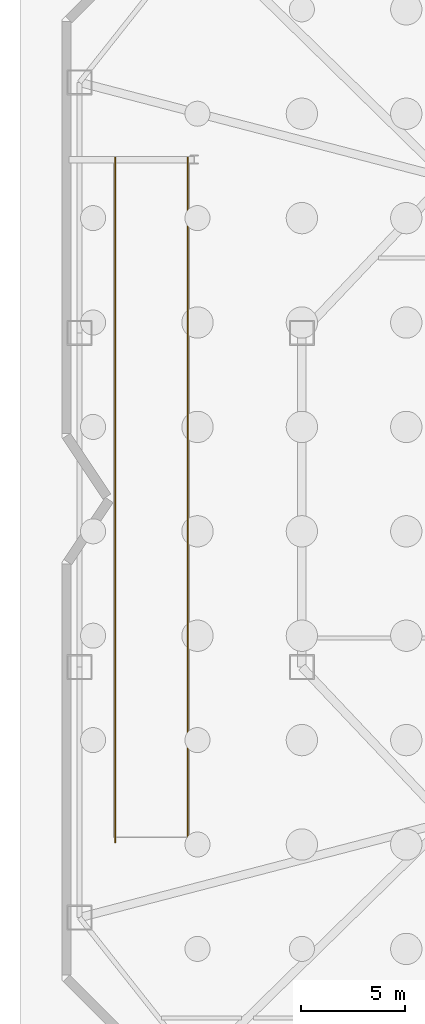
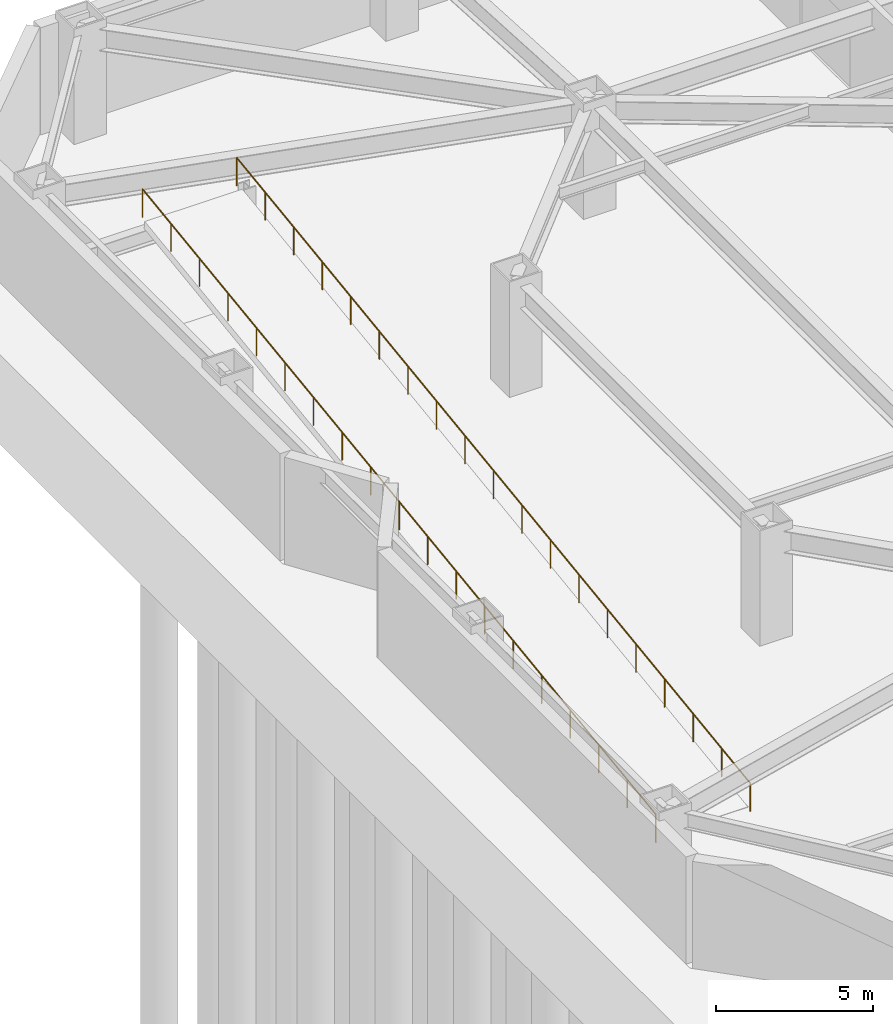
# One storey, part 13 of 15: 2 railings.
"""IFC4 building model written with IfcOpenShell, lengths in metres."""

from ifc_helpers import new_model, si_unit, direction, frame, origin, origin_2d, place, context, subcontext, project, spatial, circle, extrude, material, type_object, element, save


model = new_model("IFC4")

# Units and contexts
model_context = context("Model", 3, precision=1e-05, world=origin(), true_north=direction((0.0, 1.0)))
body_context = subcontext(model_context, "Body", "Model", "MODEL_VIEW")
ifc_project = project(units=[si_unit("LENGTHUNIT", "METRE"), si_unit("AREAUNIT", "SQUARE_METRE"), si_unit("VOLUMEUNIT", "CUBIC_METRE"), si_unit("PLANEANGLEUNIT", "RADIAN"), si_unit("MASSUNIT", "GRAM", prefix="KILO")], contexts=[model_context])

# Site, building, storey
site_placement = place(None, origin())
site = spatial("IfcSite", under=ifc_project, at=site_placement, CompositionType="ELEMENT")
building_placement = place(site_placement, origin())
building = spatial("IfcBuilding", under=site, at=building_placement, Name="Khamvora Tower", CompositionType="ELEMENT")
storey_placement = place(building_placement, frame((0.0, 0.0, -9.0)))
storey = spatial("IfcBuildingStorey", under=building, at=storey_placement, Name="B2", CompositionType="ELEMENT", Elevation=-9.0)

# Railings
ifc_material = material(Name="Stainless Steel 316", Category="steel")
railing_type = type_object("IfcRailingType", Name="RAL-VOID-1120", PredefinedType="GUARDRAIL", material=ifc_material)
railing_1_placement = place(storey_placement, frame((2.56005859375, 11.60009765625, 0.0)))
element("IfcRailing", 1, at=railing_1_placement, inside=storey, type_object=railing_type, Name="B2 vehicle ramp safety guardrail 1", PredefinedType="GUARDRAIL", context=body_context, shape_type="SweptSolid", body=[
    extrude(circle(Radius=0.02392578125, at=origin_2d()), frame((0.0, 0.0, 1.09619140625), z_axis=(0.0, 0.990719447552, 0.135922684798), x_axis=(-1.0, 0.0, 0.0)), (0.0, 0.0, 1.0), 33.107177734375),
    extrude(circle(Radius=0.02099609375, at=origin_2d()), origin(), (0.0, 0.0, 1.0), 1.072021484375),
    extrude(circle(Radius=0.02099609375, at=origin_2d()), frame((0.0, 1.822265625, 0.25)), (0.0, 0.0, 1.0), 1.072021484375),
    extrude(circle(Radius=0.02099609375, at=origin_2d()), frame((0.0, 3.64453125, 0.5)), (0.0, 0.0, 1.0), 1.072021484375),
    extrude(circle(Radius=0.02099609375, at=origin_2d()), frame((0.0, 5.466552734375, 0.75)), (0.0, 0.0, 1.0), 1.072021484375),
    extrude(circle(Radius=0.02099609375, at=origin_2d()), frame((0.0, 7.288818359375, 1.0)), (0.0, 0.0, 1.0), 1.072021484375),
    extrude(circle(Radius=0.02099609375, at=origin_2d()), frame((0.0, 9.111083984375, 1.25)), (0.0, 0.0, 1.0), 1.072021484375),
    extrude(circle(Radius=0.02099609375, at=origin_2d()), frame((0.0, 10.933349609375, 1.5)), (0.0, 0.0, 1.0), 1.072021484375),
    extrude(circle(Radius=0.02099609375, at=origin_2d()), frame((0.0, 12.75537109375, 1.75)), (0.0, 0.0, 1.0), 1.072021484375),
    extrude(circle(Radius=0.02099609375, at=origin_2d()), frame((0.0, 14.57763671875, 2.0)), (0.0, 0.0, 1.0), 1.072021484375),
    extrude(circle(Radius=0.02099609375, at=origin_2d()), frame((0.0, 16.39990234375, 2.25)), (0.0, 0.0, 1.0), 1.072021484375),
    extrude(circle(Radius=0.02099609375, at=origin_2d()), frame((0.0, 18.22216796875, 2.5)), (0.0, 0.0, 1.0), 1.072021484375),
    extrude(circle(Radius=0.02099609375, at=origin_2d()), frame((0.0, 20.04443359375, 2.75)), (0.0, 0.0, 1.0), 1.072021484375),
    extrude(circle(Radius=0.02099609375, at=origin_2d()), frame((0.0, 21.866455078125, 3.0)), (0.0, 0.0, 1.0), 1.072021484375),
    extrude(circle(Radius=0.02099609375, at=origin_2d()), frame((0.0, 23.688720703125, 3.25)), (0.0, 0.0, 1.0), 1.072021484375),
    extrude(circle(Radius=0.02099609375, at=origin_2d()), frame((0.0, 25.510986328125, 3.5)), (0.0, 0.0, 1.0), 1.072021484375),
    extrude(circle(Radius=0.02099609375, at=origin_2d()), frame((0.0, 27.333251953125, 3.75)), (0.0, 0.0, 1.0), 1.072021484375),
    extrude(circle(Radius=0.02099609375, at=origin_2d()), frame((0.0, 29.1552734375, 4.0)), (0.0, 0.0, 1.0), 1.072021484375),
    extrude(circle(Radius=0.02099609375, at=origin_2d()), frame((0.0, 30.9775390625, 4.25)), (0.0, 0.0, 1.0), 1.072021484375),
    extrude(circle(Radius=0.02099609375, at=origin_2d()), frame((0.0, 32.7998046875, 4.5)), (0.0, 0.0, 1.0), 1.072021484375),
])
railing_2_placement = place(storey_placement, frame((6.0400390625, 11.60009765625, 0.0)))
element("IfcRailing", 2, at=railing_2_placement, inside=storey, type_object=railing_type, Name="B2 vehicle ramp safety guardrail 2", PredefinedType="GUARDRAIL", context=body_context, shape_type="SweptSolid", body=[
    extrude(circle(Radius=0.02392578125, at=origin_2d()), frame((0.0, 0.0, 1.09619140625), z_axis=(0.0, 0.990719447552, 0.135922684798), x_axis=(-1.0, 0.0, 0.0)), (0.0, 0.0, 1.0), 33.107177734375),
    extrude(circle(Radius=0.02099609375, at=origin_2d()), origin(), (0.0, 0.0, 1.0), 1.072021484375),
    extrude(circle(Radius=0.02099609375, at=origin_2d()), frame((0.0, 1.822265625, 0.25)), (0.0, 0.0, 1.0), 1.072021484375),
    extrude(circle(Radius=0.02099609375, at=origin_2d()), frame((0.0, 3.64453125, 0.5)), (0.0, 0.0, 1.0), 1.072021484375),
    extrude(circle(Radius=0.02099609375, at=origin_2d()), frame((0.0, 5.466552734375, 0.75)), (0.0, 0.0, 1.0), 1.072021484375),
    extrude(circle(Radius=0.02099609375, at=origin_2d()), frame((0.0, 7.288818359375, 1.0)), (0.0, 0.0, 1.0), 1.072021484375),
    extrude(circle(Radius=0.02099609375, at=origin_2d()), frame((0.0, 9.111083984375, 1.25)), (0.0, 0.0, 1.0), 1.072021484375),
    extrude(circle(Radius=0.02099609375, at=origin_2d()), frame((0.0, 10.933349609375, 1.5)), (0.0, 0.0, 1.0), 1.072021484375),
    extrude(circle(Radius=0.02099609375, at=origin_2d()), frame((0.0, 12.75537109375, 1.75)), (0.0, 0.0, 1.0), 1.072021484375),
    extrude(circle(Radius=0.02099609375, at=origin_2d()), frame((0.0, 14.57763671875, 2.0)), (0.0, 0.0, 1.0), 1.072021484375),
    extrude(circle(Radius=0.02099609375, at=origin_2d()), frame((0.0, 16.39990234375, 2.25)), (0.0, 0.0, 1.0), 1.072021484375),
    extrude(circle(Radius=0.02099609375, at=origin_2d()), frame((0.0, 18.22216796875, 2.5)), (0.0, 0.0, 1.0), 1.072021484375),
    extrude(circle(Radius=0.02099609375, at=origin_2d()), frame((0.0, 20.04443359375, 2.75)), (0.0, 0.0, 1.0), 1.072021484375),
    extrude(circle(Radius=0.02099609375, at=origin_2d()), frame((0.0, 21.866455078125, 3.0)), (0.0, 0.0, 1.0), 1.072021484375),
    extrude(circle(Radius=0.02099609375, at=origin_2d()), frame((0.0, 23.688720703125, 3.25)), (0.0, 0.0, 1.0), 1.072021484375),
    extrude(circle(Radius=0.02099609375, at=origin_2d()), frame((0.0, 25.510986328125, 3.5)), (0.0, 0.0, 1.0), 1.072021484375),
    extrude(circle(Radius=0.02099609375, at=origin_2d()), frame((0.0, 27.333251953125, 3.75)), (0.0, 0.0, 1.0), 1.072021484375),
    extrude(circle(Radius=0.02099609375, at=origin_2d()), frame((0.0, 29.1552734375, 4.0)), (0.0, 0.0, 1.0), 1.072021484375),
    extrude(circle(Radius=0.02099609375, at=origin_2d()), frame((0.0, 30.9775390625, 4.25)), (0.0, 0.0, 1.0), 1.072021484375),
    extrude(circle(Radius=0.02099609375, at=origin_2d()), frame((0.0, 32.7998046875, 4.5)), (0.0, 0.0, 1.0), 1.072021484375),
])

save(model, "model.ifc")
